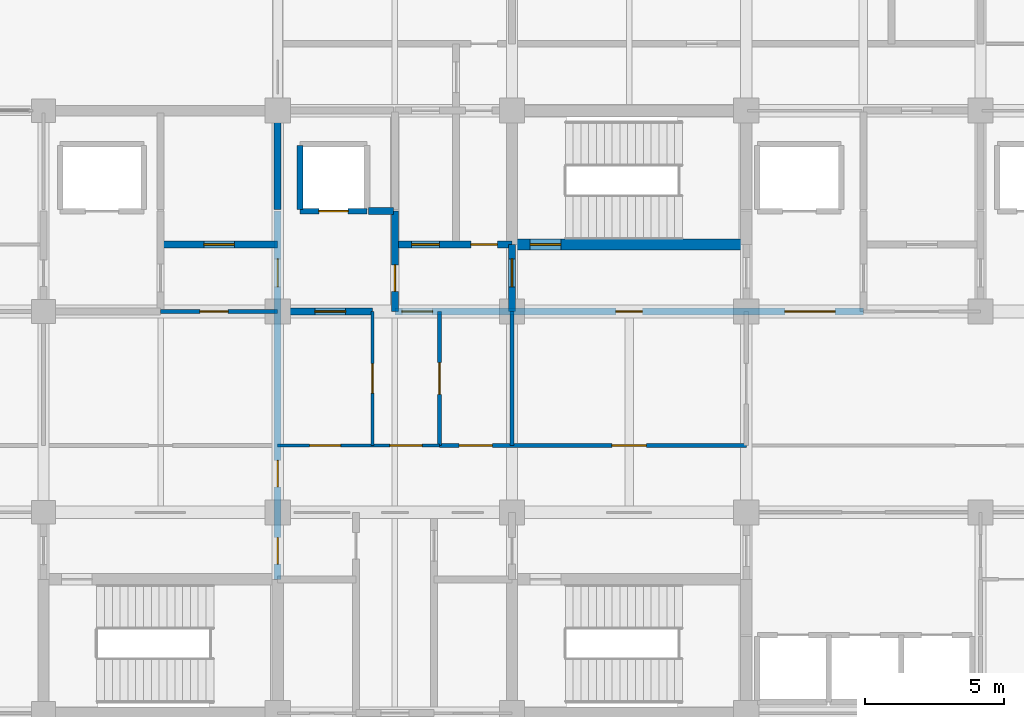
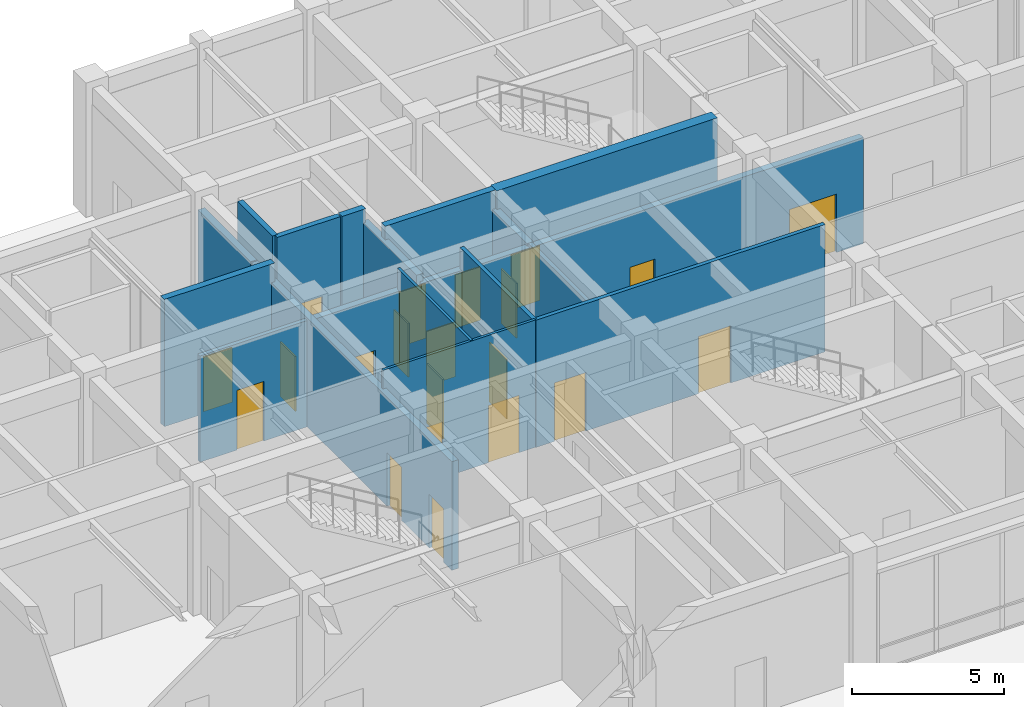
# One storey, part 45 of 73: 21 doors, 18 walls, 21 openings.
"""IFC4 building model written with IfcOpenShell, lengths in metres."""

from ifc_helpers import new_model, si_unit, direction, frame, frame_2d, origin, place, context, subcontext, project, spatial, rectangle, extrude, material, layer, layer_set, type_object, element, fill, save


model = new_model("IFC4")

# Units and contexts
model_context = context("Model", 3, precision=1e-05, world=origin(), true_north=direction((0.0, 1.0)))
body_context = subcontext(model_context, "Body", "Model", "MODEL_VIEW")
ifc_project = project(units=[si_unit("LENGTHUNIT", "METRE"), si_unit("AREAUNIT", "SQUARE_METRE"), si_unit("VOLUMEUNIT", "CUBIC_METRE"), si_unit("PLANEANGLEUNIT", "RADIAN"), si_unit("MASSUNIT", "GRAM", prefix="KILO")], contexts=[model_context])

# Site, building, storey
site_placement = place(None, origin())
site = spatial("IfcSite", under=ifc_project, at=site_placement, CompositionType="ELEMENT")
building_placement = place(site_placement, origin())
building = spatial("IfcBuilding", under=site, at=building_placement, Name="Chengyuan Square Courthouse", CompositionType="ELEMENT")
storey_placement = place(building_placement, origin())
storey = spatial("IfcBuildingStorey", under=building, at=storey_placement, Name="L01", CompositionType="ELEMENT", Elevation=0.0)

# Wall, opening, door
ifc_material_1 = material(Name="Concrete C40", Category="concrete")
ifc_layer_1 = layer(ifc_material_1, 0.25)
ifc_layer_set_1 = layer_set([ifc_layer_1], Name="Concrete C40")
wall_type_1 = type_object("IfcWallType", Name="WL-FW1", PredefinedType="STANDARD", material=ifc_layer_set_1)
wall_1_placement = place(storey_placement, frame((50.39990234375, 100.800048828125, 0.0), z_axis=(0.0, 0.0, 1.0), x_axis=(1.0, 0.0, 0.0)))
wall_1 = element("IfcWall", 1, at=wall_1_placement, inside=storey, type_object=wall_type_1, Name="Interior Wall WL-L01-I756", PredefinedType="STANDARD", context=body_context, shape_type="SweptSolid", body=[
    extrude(rectangle(XDim=3.400146484375, YDim=0.25, at=frame_2d((1.7001953125, 0.0))), origin(), (0.0, 0.0, 1.0), 4.27001953125),
])
opening_1_placement = place(wall_1_placement, frame((1.3349609375, 0.0, 0.0)))
opening_1 = element("IfcOpeningElement", 2, at=opening_1_placement, cuts=wall_1, Name="Opening DR-743", PredefinedType="OPENING", context=body_context, shape_type="SweptSolid", body=[
    extrude(rectangle(XDim=1.10009765625, YDim=2.199951171875, at=frame_2d((0.550048828125, 1.10009765625))), frame((0.0, 0.136962890625, 0.0), z_axis=(0.0, -1.0, 0.0), x_axis=(1.0, 0.0, 0.0)), (0.0, 0.0, 1.0), 0.27392578125),
])
ifc_material_2 = material(Name="Steel Q235B Fire Door", Category="steel")
door_type_1 = type_object("IfcDoorType", Name="DT-10", OperationType="NOTDEFINED", PredefinedType="DOOR", material=ifc_material_2)
door_1_placement = place(opening_1_placement, origin())
door_1 = element("IfcDoor", 3, at=door_1_placement, inside=storey, type_object=door_type_1, Name="Interior Door DR-743", OperationType="SINGLE_SWING_LEFT", OverallHeight=2.199951171875, OverallWidth=1.10009765625, PredefinedType="DOOR", context=body_context, shape_type="SweptSolid", body=[
    extrude(rectangle(XDim=1.10009765625, YDim=2.199951171875, at=frame_2d((0.550048828125, 1.10009765625))), frame((0.0, 0.02490234375, 0.0), z_axis=(0.0, -1.0, 0.0), x_axis=(1.0, 0.0, 0.0)), (0.0, 0.0, 1.0), 0.050048828125),
])
fill(opening_1, door_1)

# Wall, openings, doors
wall_2_placement = place(storey_placement, frame((54.60009765625, 100.800048828125, 0.0), z_axis=(0.0, 0.0, 1.0), x_axis=(1.0, 0.0, 0.0)))
wall_2 = element("IfcWall", 4, at=wall_2_placement, inside=storey, type_object=wall_type_1, Name="Interior Wall WL-L01-I757", PredefinedType="STANDARD", context=body_context, shape_type="SweptSolid", body=[
    extrude(rectangle(XDim=16.7998046875, YDim=0.25, at=frame_2d((8.39990234375, 0.0))), origin(), (0.0, 0.0, 1.0), 4.27001953125),
])
opening_2_placement = place(wall_2_placement, frame((7.925048828125, 0.0, 0.0)))
opening_2 = element("IfcOpeningElement", 5, at=opening_2_placement, cuts=wall_2, Name="Opening DR-670", PredefinedType="OPENING", context=body_context, shape_type="SweptSolid", body=[
    extrude(rectangle(XDim=0.949951171875, YDim=2.14990234375, at=frame_2d((0.47509765625, 1.074951171875))), frame((0.0, 0.136962890625, 0.0), z_axis=(0.0, -1.0, 0.0), x_axis=(1.0, 0.0, 0.0)), (0.0, 0.0, 1.0), 0.27392578125),
])
opening_3_placement = place(wall_2_placement, frame((13.985107421875, 0.0, 0.0)))
opening_3 = element("IfcOpeningElement", 6, at=opening_3_placement, cuts=wall_2, Name="Opening DR-712", PredefinedType="OPENING", context=body_context, shape_type="SweptSolid", body=[
    extrude(rectangle(XDim=1.800048828125, YDim=2.35009765625, at=frame_2d((0.89990234375, 1.175048828125))), frame((0.0, 0.136962890625, 0.0), z_axis=(0.0, -1.0, 0.0), x_axis=(1.0, 0.0, 0.0)), (0.0, 0.0, 1.0), 0.27392578125),
])
opening_4_placement = place(wall_2_placement, frame((0.25, 0.0, 0.0)))
opening_4 = element("IfcOpeningElement", 7, at=opening_4_placement, cuts=wall_2, Name="Opening DR-746", PredefinedType="OPENING", context=body_context, shape_type="SweptSolid", body=[
    extrude(rectangle(XDim=1.10009765625, YDim=2.199951171875, at=frame_2d((0.550048828125, 1.10009765625))), frame((0.0, 0.136962890625, 0.0), z_axis=(0.0, -1.0, 0.0), x_axis=(1.0, 0.0, 0.0)), (0.0, 0.0, 1.0), 0.27392578125),
])
door_2_placement = place(opening_4_placement, origin())
door_2 = element("IfcDoor", 8, at=door_2_placement, inside=storey, type_object=door_type_1, Name="Interior Door DR-746", OperationType="SINGLE_SWING_RIGHT", OverallHeight=2.199951171875, OverallWidth=1.10009765625, PredefinedType="DOOR", context=body_context, shape_type="SweptSolid", body=[
    extrude(rectangle(XDim=1.10009765625, YDim=2.199951171875, at=frame_2d((0.550048828125, 1.10009765625))), frame((0.0, 0.02490234375, 0.0), z_axis=(0.0, -1.0, 0.0), x_axis=(1.0, 0.0, 0.0)), (0.0, 0.0, 1.0), 0.050048828125),
])
fill(opening_4, door_2)
door_type_2 = type_object("IfcDoorType", Name="DT-12", OperationType="NOTDEFINED", PredefinedType="DOOR", material=ifc_material_2)
door_3_placement = place(opening_2_placement, origin())
door_3 = element("IfcDoor", 9, at=door_3_placement, inside=storey, type_object=door_type_2, Name="Interior Door DR-670", OperationType="SINGLE_SWING_LEFT", OverallHeight=2.14990234375, OverallWidth=0.949951171875, PredefinedType="DOOR", context=body_context, shape_type="SweptSolid", body=[
    extrude(rectangle(XDim=0.949951171875, YDim=2.14990234375, at=frame_2d((0.47509765625, 1.074951171875))), frame((0.0, 0.02490234375, 0.0), z_axis=(0.0, -1.0, 0.0), x_axis=(1.0, 0.0, 0.0)), (0.0, 0.0, 1.0), 0.050048828125),
])
fill(opening_2, door_3)
ifc_material_3 = material(Name="Steel Q235B Glazed Fire Door", Category="steel")
door_type_3 = type_object("IfcDoorType", Name="DT-18", OperationType="DOUBLE_DOOR_SINGLE_SWING", PredefinedType="DOOR", material=ifc_material_3)
door_4_placement = place(opening_3_placement, frame((1.800048828125, 0.0, 0.0), z_axis=(0.0, 0.0, 1.0), x_axis=(-1.0, 0.0, 0.0)))
door_4 = element("IfcDoor", 10, at=door_4_placement, inside=storey, type_object=door_type_3, Name="Interior Door DR-712", OperationType="DOUBLE_DOOR_SINGLE_SWING", OverallHeight=2.35009765625, OverallWidth=1.800048828125, PredefinedType="DOOR", context=body_context, shape_type="SweptSolid", body=[
    extrude(rectangle(XDim=1.800048828125, YDim=2.35009765625, at=frame_2d((0.89990234375, 1.175048828125))), frame((0.0, 0.02490234375, 0.0), z_axis=(0.0, -1.0, 0.0), x_axis=(1.0, 0.0, 0.0)), (0.0, 0.0, 1.0), 0.050048828125),
])
fill(opening_3, door_4)

# Wall, opening, door
wall_3_placement = place(storey_placement, frame((46.199951171875, 103.199951171875, 0.0), z_axis=(0.0, 0.0, 1.0), x_axis=(1.0, 0.0, 0.0)))
wall_3 = element("IfcWall", 11, at=wall_3_placement, inside=storey, type_object=wall_type_1, Name="Interior Wall WL-L01-I772", PredefinedType="STANDARD", context=body_context, shape_type="SweptSolid", body=[
    extrude(rectangle(XDim=4.199951171875, YDim=0.25, at=frame_2d((2.10009765625, 0.0))), origin(), (0.0, 0.0, 1.0), 5.1201171875),
])
opening_5_placement = place(wall_3_placement, frame((1.550048828125, 0.0, 0.0)))
opening_5 = element("IfcOpeningElement", 12, at=opening_5_placement, cuts=wall_3, Name="Opening DR-725", PredefinedType="OPENING", context=body_context, shape_type="SweptSolid", body=[
    extrude(rectangle(XDim=1.10009765625, YDim=2.199951171875, at=frame_2d((0.550048828125, 1.10009765625))), frame((0.0, 0.136962890625, 0.0), z_axis=(0.0, -1.0, 0.0), x_axis=(1.0, 0.0, 0.0)), (0.0, 0.0, 1.0), 0.27392578125),
])
door_5_placement = place(opening_5_placement, origin())
door_5 = element("IfcDoor", 13, at=door_5_placement, inside=storey, type_object=door_type_1, Name="Interior Door DR-725", OperationType="SINGLE_SWING_RIGHT", OverallHeight=2.199951171875, OverallWidth=1.10009765625, PredefinedType="DOOR", context=body_context, shape_type="SweptSolid", body=[
    extrude(rectangle(XDim=1.10009765625, YDim=2.199951171875, at=frame_2d((0.550048828125, 1.10009765625))), frame((0.0, 0.02490234375, 0.0), z_axis=(0.0, -1.0, 0.0), x_axis=(1.0, 0.0, 0.0)), (0.0, 0.0, 1.0), 0.050048828125),
])
fill(opening_5, door_5)

# Wall, openings, doors
wall_4_placement = place(storey_placement, frame((54.60009765625, 103.199951171875, 0.0), z_axis=(0.0, 0.0, 1.0), x_axis=(1.0, 0.0, 0.0)))
wall_4 = element("IfcWall", 14, at=wall_4_placement, inside=storey, type_object=wall_type_1, Name="Interior Wall WL-L01-I773", PredefinedType="STANDARD", context=body_context, shape_type="SweptSolid", body=[
    extrude(rectangle(XDim=4.199951171875, YDim=0.25, at=frame_2d((2.10009765625, 0.0))), origin(), (0.0, 0.0, 1.0), 5.1201171875),
])
opening_6_placement = place(wall_4_placement, frame((0.60009765625, 0.0, 0.0)))
opening_6 = element("IfcOpeningElement", 15, at=opening_6_placement, cuts=wall_4, Name="Opening DR-744", PredefinedType="OPENING", context=body_context, shape_type="SweptSolid", body=[
    extrude(rectangle(XDim=1.0, YDim=2.199951171875, at=frame_2d((0.5, 1.10009765625))), frame((0.0, 0.136962890625, 0.0), z_axis=(0.0, -1.0, 0.0), x_axis=(1.0, 0.0, 0.0)), (0.0, 0.0, 1.0), 0.27392578125),
])
opening_7_placement = place(wall_4_placement, frame((2.72509765625, 0.0, 0.0)))
opening_7 = element("IfcOpeningElement", 16, at=opening_7_placement, cuts=wall_4, Name="Opening DR-745", PredefinedType="OPENING", context=body_context, shape_type="SweptSolid", body=[
    extrude(rectangle(XDim=0.949951171875, YDim=2.14990234375, at=frame_2d((0.47509765625, 1.074951171875))), frame((0.0, 0.136962890625, 0.0), z_axis=(0.0, -1.0, 0.0), x_axis=(1.0, 0.0, 0.0)), (0.0, 0.0, 1.0), 0.27392578125),
])
door_type_4 = type_object("IfcDoorType", Name="DT-11", OperationType="NOTDEFINED", PredefinedType="DOOR", material=ifc_material_2)
door_6_placement = place(opening_6_placement, origin())
door_6 = element("IfcDoor", 17, at=door_6_placement, inside=storey, type_object=door_type_4, Name="Interior Door DR-744", OperationType="SINGLE_SWING_RIGHT", OverallHeight=2.199951171875, OverallWidth=1.0, PredefinedType="DOOR", context=body_context, shape_type="SweptSolid", body=[
    extrude(rectangle(XDim=1.0, YDim=2.199951171875, at=frame_2d((0.5, 1.10009765625))), frame((0.0, 0.02490234375, 0.0), z_axis=(0.0, -1.0, 0.0), x_axis=(1.0, 0.0, 0.0)), (0.0, 0.0, 1.0), 0.050048828125),
])
fill(opening_6, door_6)
door_7_placement = place(opening_7_placement, origin())
door_7 = element("IfcDoor", 18, at=door_7_placement, inside=storey, type_object=door_type_2, Name="Interior Door DR-745", OperationType="SINGLE_SWING_LEFT", OverallHeight=2.14990234375, OverallWidth=0.949951171875, PredefinedType="DOOR", context=body_context, shape_type="SweptSolid", body=[
    extrude(rectangle(XDim=0.949951171875, YDim=2.14990234375, at=frame_2d((0.47509765625, 1.074951171875))), frame((0.0, 0.02490234375, 0.0), z_axis=(0.0, -1.0, 0.0), x_axis=(1.0, 0.0, 0.0)), (0.0, 0.0, 1.0), 0.050048828125),
])
fill(opening_7, door_7)

# Wall
wall_5_placement = place(storey_placement, frame((53.64990234375, 104.39990234375, 0.0), z_axis=(0.0, 0.0, 1.0), x_axis=(1.0, 0.0, 0.0)))
element("IfcWall", 19, at=wall_5_placement, inside=storey, type_object=wall_type_1, Name="Interior Wall WL-L01-I783", PredefinedType="STANDARD", context=body_context, shape_type="SweptSolid", body=[
    extrude(rectangle(XDim=0.900146484375, YDim=0.25, at=frame_2d((0.4501953125, 0.0))), origin(), (0.0, 0.0, 1.0), 5.1201171875),
])

# Wall, openings, doors
wall_6_placement = place(storey_placement, frame((50.39990234375, 91.199951171875, 0.0), z_axis=(0.0, 0.0, 1.0), x_axis=(0.0, 1.0, 0.0)))
wall_6 = element("IfcWall", 20, at=wall_6_placement, inside=storey, type_object=wall_type_1, Name="Interior Wall WL-L01-I867", PredefinedType="STANDARD", context=body_context, shape_type="SweptSolid", body=[
    extrude(rectangle(XDim=13.199951171875, YDim=0.25, at=frame_2d((6.60009765625, 0.0))), origin(), (0.0, 0.0, 1.0), 4.3701171875),
])
opening_8_placement = place(wall_6_placement, frame((0.5400390625, 0.0, 0.0)))
opening_8 = element("IfcOpeningElement", 21, at=opening_8_placement, cuts=wall_6, Name="Opening DR-682", PredefinedType="OPENING", context=body_context, shape_type="SweptSolid", body=[
    extrude(rectangle(XDim=0.949951171875, YDim=2.14990234375, at=frame_2d((0.47509765625, 1.074951171875))), frame((0.0, 0.136962890625, 0.0), z_axis=(0.0, -1.0, 0.0), x_axis=(1.0, 0.0, 0.0)), (0.0, 0.0, 1.0), 0.27392578125),
])
opening_9_placement = place(wall_6_placement, frame((10.485107421875, 0.0, 0.0)))
opening_9 = element("IfcOpeningElement", 22, at=opening_9_placement, cuts=wall_6, Name="Opening DR-726", PredefinedType="OPENING", context=body_context, shape_type="SweptSolid", body=[
    extrude(rectangle(XDim=1.0, YDim=2.199951171875, at=frame_2d((0.5, 1.10009765625))), frame((0.0, 0.136962890625, 0.0), z_axis=(0.0, -1.0, 0.0), x_axis=(1.0, 0.0, 0.0)), (0.0, 0.0, 1.0), 0.27392578125),
])
opening_10_placement = place(wall_6_placement, frame((3.31005859375, 0.0, 0.0)))
opening_10 = element("IfcOpeningElement", 23, at=opening_10_placement, cuts=wall_6, Name="Opening DR-793", PredefinedType="OPENING", context=body_context, shape_type="SweptSolid", body=[
    extrude(rectangle(XDim=0.949951171875, YDim=2.14990234375, at=frame_2d((0.47509765625, 1.074951171875))), frame((0.0, 0.136962890625, 0.0), z_axis=(0.0, -1.0, 0.0), x_axis=(1.0, 0.0, 0.0)), (0.0, 0.0, 1.0), 0.27392578125),
])
door_8_placement = place(opening_9_placement, origin())
door_8 = element("IfcDoor", 24, at=door_8_placement, inside=storey, type_object=door_type_4, Name="Interior Door DR-726", OperationType="SINGLE_SWING_LEFT", OverallHeight=2.199951171875, OverallWidth=1.0, PredefinedType="DOOR", context=body_context, shape_type="SweptSolid", body=[
    extrude(rectangle(XDim=1.0, YDim=2.199951171875, at=frame_2d((0.5, 1.10009765625))), frame((0.0, 0.02490234375, 0.0), z_axis=(0.0, -1.0, 0.0), x_axis=(1.0, 0.0, 0.0)), (0.0, 0.0, 1.0), 0.050048828125),
])
fill(opening_9, door_8)
door_9_placement = place(opening_8_placement, origin())
door_9 = element("IfcDoor", 25, at=door_9_placement, inside=storey, type_object=door_type_2, Name="Interior Door DR-682", OperationType="SINGLE_SWING_RIGHT", OverallHeight=2.14990234375, OverallWidth=0.949951171875, PredefinedType="DOOR", context=body_context, shape_type="SweptSolid", body=[
    extrude(rectangle(XDim=0.949951171875, YDim=2.14990234375, at=frame_2d((0.47509765625, 1.074951171875))), frame((0.0, 0.02490234375, 0.0), z_axis=(0.0, -1.0, 0.0), x_axis=(1.0, 0.0, 0.0)), (0.0, 0.0, 1.0), 0.050048828125),
])
fill(opening_8, door_9)
door_10_placement = place(opening_10_placement, origin())
door_10 = element("IfcDoor", 26, at=door_10_placement, inside=storey, type_object=door_type_2, Name="Interior Door DR-793", OperationType="SINGLE_SWING_LEFT", OverallHeight=2.14990234375, OverallWidth=0.949951171875, PredefinedType="DOOR", context=body_context, shape_type="SweptSolid", body=[
    extrude(rectangle(XDim=0.949951171875, YDim=2.14990234375, at=frame_2d((0.47509765625, 1.074951171875))), frame((0.0, 0.02490234375, 0.0), z_axis=(0.0, -1.0, 0.0), x_axis=(1.0, 0.0, 0.0)), (0.0, 0.0, 1.0), 0.050048828125),
])
fill(opening_10, door_10)

# Wall
wall_7_placement = place(storey_placement, frame((50.39990234375, 104.449951171875, 0.0), z_axis=(0.0, 0.0, 1.0), x_axis=(0.0, 1.0, 0.0)))
element("IfcWall", 27, at=wall_7_placement, inside=storey, type_object=wall_type_1, Name="Interior Wall WL-L01-I868", PredefinedType="STANDARD", context=body_context, shape_type="SweptSolid", body=[
    extrude(rectangle(XDim=3.4599609375, YDim=0.25, at=frame_2d((1.72998046875, 0.0))), origin(), (0.0, 0.0, 1.0), 4.3701171875),
])

# Wall, opening, door
wall_8_placement = place(storey_placement, frame((54.60009765625, 100.800048828125, 0.0), z_axis=(0.0, 0.0, 1.0), x_axis=(0.0, 1.0, 0.0)))
wall_8 = element("IfcWall", 28, at=wall_8_placement, inside=storey, type_object=wall_type_1, Name="Interior Wall WL-L01-I873", PredefinedType="STANDARD", context=body_context, shape_type="SweptSolid", body=[
    extrude(rectangle(XDim=3.599853515625, YDim=0.25, at=frame_2d((1.7998046875, 0.0))), origin(), (0.0, 0.0, 1.0), 4.570068359375),
])
opening_11_placement = place(wall_8_placement, frame((0.72509765625, 0.0, 0.0)))
opening_11 = element("IfcOpeningElement", 29, at=opening_11_placement, cuts=wall_8, Name="Opening DR-742", PredefinedType="OPENING", context=body_context, shape_type="SweptSolid", body=[
    extrude(rectangle(XDim=0.949951171875, YDim=2.14990234375, at=frame_2d((0.47509765625, 1.074951171875))), frame((0.0, 0.136962890625, 0.0), z_axis=(0.0, -1.0, 0.0), x_axis=(1.0, 0.0, 0.0)), (0.0, 0.0, 1.0), 0.27392578125),
])
door_11_placement = place(opening_11_placement, origin())
door_11 = element("IfcDoor", 30, at=door_11_placement, inside=storey, type_object=door_type_2, Name="Interior Door DR-742", OperationType="SINGLE_SWING_RIGHT", OverallHeight=2.14990234375, OverallWidth=0.949951171875, PredefinedType="DOOR", context=body_context, shape_type="SweptSolid", body=[
    extrude(rectangle(XDim=0.949951171875, YDim=2.14990234375, at=frame_2d((0.47509765625, 1.074951171875))), frame((0.0, 0.02490234375, 0.0), z_axis=(0.0, -1.0, 0.0), x_axis=(1.0, 0.0, 0.0)), (0.0, 0.0, 1.0), 0.050048828125),
])
fill(opening_11, door_11)

wall_9_placement = place(storey_placement, frame((58.800048828125, 100.800048828125, 0.0), z_axis=(0.0, 0.0, 1.0), x_axis=(0.0, 1.0, 0.0)))
wall_9 = element("IfcWall", 31, at=wall_9_placement, inside=storey, type_object=wall_type_1, Name="Interior Wall WL-L01-I882", PredefinedType="STANDARD", context=body_context, shape_type="SweptSolid", body=[
    extrude(rectangle(XDim=2.39990234375, YDim=0.25, at=frame_2d((1.199951171875, 0.0))), origin(), (0.0, 0.0, 1.0), 4.3701171875),
])
opening_12_placement = place(wall_9_placement, frame((0.885009765625, 0.0, 0.0)))
opening_12 = element("IfcOpeningElement", 32, at=opening_12_placement, cuts=wall_9, Name="Opening DR-669", PredefinedType="OPENING", context=body_context, shape_type="SweptSolid", body=[
    extrude(rectangle(XDim=1.0, YDim=2.199951171875, at=frame_2d((0.5, 1.10009765625))), frame((0.0, 0.136962890625, 0.0), z_axis=(0.0, -1.0, 0.0), x_axis=(1.0, 0.0, 0.0)), (0.0, 0.0, 1.0), 0.27392578125),
])
door_12_placement = place(opening_12_placement, origin())
door_12 = element("IfcDoor", 33, at=door_12_placement, inside=storey, type_object=door_type_4, Name="Interior Door DR-669", OperationType="SINGLE_SWING_RIGHT", OverallHeight=2.199951171875, OverallWidth=1.0, PredefinedType="DOOR", context=body_context, shape_type="SweptSolid", body=[
    extrude(rectangle(XDim=1.0, YDim=2.199951171875, at=frame_2d((0.5, 1.10009765625))), frame((0.0, 0.02490234375, 0.0), z_axis=(0.0, -1.0, 0.0), x_axis=(1.0, 0.0, 0.0)), (0.0, 0.0, 1.0), 0.050048828125),
])
fill(opening_12, door_12)

# Wall, openings, doors
ifc_material_4 = material(Name="Deliberation Room Sound-Insulated Partition")
ifc_layer_2 = layer(ifc_material_4, 0.14990234375)
ifc_layer_set_2 = layer_set([ifc_layer_2], Name="Deliberation Room Sound-Insulated Partition")
wall_type_2 = type_object("IfcWallType", Name="WL-PT3", PredefinedType="STANDARD", material=ifc_layer_set_2)
wall_10_placement = place(storey_placement, frame((56.199951171875, 96.0, 0.0), z_axis=(0.0, 0.0, 1.0), x_axis=(1.0, 0.0, 0.0)))
wall_10 = element("IfcWall", 34, at=wall_10_placement, inside=storey, type_object=wall_type_2, Name="Interior Wall WL-L01-I740", PredefinedType="STANDARD", context=body_context, shape_type="SweptSolid", body=[
    extrude(rectangle(XDim=11.0, YDim=0.14990234375, at=frame_2d((5.5, 0.0))), origin(), (0.0, 0.0, 1.0), 5.1201171875),
])
opening_13_placement = place(wall_10_placement, frame((0.699951171875, 0.0, 0.0)))
opening_13 = element("IfcOpeningElement", 35, at=opening_13_placement, cuts=wall_10, Name="Opening DR-807", PredefinedType="OPENING", context=body_context, shape_type="SweptSolid", body=[
    extrude(rectangle(XDim=1.199951171875, YDim=2.35009765625, at=frame_2d((0.60009765625, 1.175048828125))), frame((0.0, 0.0869140625, 0.0), z_axis=(0.0, -1.0, 0.0), x_axis=(1.0, 0.0, 0.0)), (0.0, 0.0, 1.0), 0.173828125),
])
opening_14_placement = place(wall_10_placement, frame((6.179931640625, 0.0, 0.0)))
opening_14 = element("IfcOpeningElement", 36, at=opening_14_placement, cuts=wall_10, Name="Opening DR-808", PredefinedType="OPENING", context=body_context, shape_type="SweptSolid", body=[
    extrude(rectangle(XDim=1.239990234375, YDim=2.300048828125, at=frame_2d((0.6201171875, 1.14990234375))), frame((0.0, 0.0869140625, 0.0), z_axis=(0.0, -1.0, 0.0), x_axis=(1.0, 0.0, 0.0)), (0.0, 0.0, 1.0), 0.173828125),
])
ifc_material_5 = material(Name="Acoustic Solid-Core Timber Door", Category="wood")
door_type_5 = type_object("IfcDoorType", Name="DT-36", OperationType="NOTDEFINED", PredefinedType="DOOR", material=ifc_material_5)
door_13_placement = place(opening_13_placement, origin())
door_13 = element("IfcDoor", 37, at=door_13_placement, inside=storey, type_object=door_type_5, Name="Interior Door DR-807", OperationType="SINGLE_SWING_LEFT", OverallHeight=2.35009765625, OverallWidth=1.199951171875, PredefinedType="DOOR", context=body_context, shape_type="SweptSolid", body=[
    extrude(rectangle(XDim=1.199951171875, YDim=2.35009765625, at=frame_2d((0.60009765625, 1.175048828125))), frame((0.0, 0.02490234375, 0.0), z_axis=(0.0, -1.0, 0.0), x_axis=(1.0, 0.0, 0.0)), (0.0, 0.0, 1.0), 0.050048828125),
])
fill(opening_13, door_13)
door_type_6 = type_object("IfcDoorType", Name="DT-37", OperationType="NOTDEFINED", PredefinedType="DOOR", material=ifc_material_5)
door_14_placement = place(opening_14_placement, origin())
door_14 = element("IfcDoor", 38, at=door_14_placement, inside=storey, type_object=door_type_6, Name="Interior Door DR-808", OperationType="SINGLE_SWING_RIGHT", OverallHeight=2.300048828125, OverallWidth=1.239990234375, PredefinedType="DOOR", context=body_context, shape_type="SweptSolid", body=[
    extrude(rectangle(XDim=1.239990234375, YDim=2.300048828125, at=frame_2d((0.6201171875, 1.14990234375))), frame((0.0, 0.02490234375, 0.0), z_axis=(0.0, -1.0, 0.0), x_axis=(1.0, 0.0, 0.0)), (0.0, 0.0, 1.0), 0.050048828125),
])
fill(opening_14, door_14)

# Wall, opening, door
wall_11_placement = place(storey_placement, frame((46.199951171875, 100.800048828125, 0.0), z_axis=(0.0, 0.0, 1.0), x_axis=(1.0, 0.0, 0.0)))
wall_11 = element("IfcWall", 39, at=wall_11_placement, inside=storey, type_object=wall_type_2, Name="Interior Wall WL-L01-I755", PredefinedType="STANDARD", context=body_context, shape_type="SweptSolid", body=[
    extrude(rectangle(XDim=4.199951171875, YDim=0.14990234375, at=frame_2d((2.10009765625, 0.0))), origin(), (0.0, 0.0, 1.0), 4.27001953125),
])
opening_15_placement = place(wall_11_placement, frame((1.405029296875, 0.0, 0.0)))
opening_15 = element("IfcOpeningElement", 40, at=opening_15_placement, cuts=wall_11, Name="Opening DR-727", PredefinedType="OPENING", context=body_context, shape_type="SweptSolid", body=[
    extrude(rectangle(XDim=1.02001953125, YDim=2.39990234375, at=frame_2d((0.510009765625, 1.199951171875))), frame((0.0, 0.0869140625, 0.0), z_axis=(0.0, -1.0, 0.0), x_axis=(1.0, 0.0, 0.0)), (0.0, 0.0, 1.0), 0.173828125),
])
door_type_7 = type_object("IfcDoorType", Name="DT-41", OperationType="NOTDEFINED", PredefinedType="DOOR", material=ifc_material_5)
door_15_placement = place(opening_15_placement, origin())
door_15 = element("IfcDoor", 41, at=door_15_placement, inside=storey, type_object=door_type_7, Name="Interior Door DR-727", OperationType="SINGLE_SWING_RIGHT", OverallHeight=2.39990234375, OverallWidth=1.02001953125, PredefinedType="DOOR", context=body_context, shape_type="SweptSolid", body=[
    extrude(rectangle(XDim=1.02001953125, YDim=2.39990234375, at=frame_2d((0.510009765625, 1.199951171875))), frame((0.0, 0.02490234375, 0.0), z_axis=(0.0, -1.0, 0.0), x_axis=(1.0, 0.0, 0.0)), (0.0, 0.0, 1.0), 0.050048828125),
])
fill(opening_15, door_15)

wall_12_placement = place(storey_placement, frame((56.199951171875, 96.0, 0.0), z_axis=(0.0, 0.0, 1.0), x_axis=(0.0, 1.0, 0.0)))
wall_12 = element("IfcWall", 42, at=wall_12_placement, inside=storey, type_object=wall_type_2, Name="Interior Wall WL-L01-I876", PredefinedType="STANDARD", context=body_context, shape_type="SweptSolid", body=[
    extrude(rectangle(XDim=4.800048828125, YDim=0.14990234375, at=frame_2d((2.39990234375, 0.0))), origin(), (0.0, 0.0, 1.0), 5.1201171875),
])
opening_16_placement = place(wall_12_placement, frame((1.830078125, 0.0, 0.0)))
opening_16 = element("IfcOpeningElement", 43, at=opening_16_placement, cuts=wall_12, Name="Opening DR-848", PredefinedType="OPENING", context=body_context, shape_type="SweptSolid", body=[
    extrude(rectangle(XDim=1.139892578125, YDim=2.39990234375, at=frame_2d((0.56982421875, 1.199951171875))), frame((0.0, 0.0869140625, 0.0), z_axis=(0.0, -1.0, 0.0), x_axis=(1.0, 0.0, 0.0)), (0.0, 0.0, 1.0), 0.173828125),
])
door_type_8 = type_object("IfcDoorType", Name="DT-43", OperationType="NOTDEFINED", PredefinedType="DOOR", material=ifc_material_5)
door_16_placement = place(opening_16_placement, origin())
door_16 = element("IfcDoor", 44, at=door_16_placement, inside=storey, type_object=door_type_8, Name="Interior Door DR-848", OperationType="SINGLE_SWING_LEFT", OverallHeight=2.39990234375, OverallWidth=1.139892578125, PredefinedType="DOOR", context=body_context, shape_type="SweptSolid", body=[
    extrude(rectangle(XDim=1.139892578125, YDim=2.39990234375, at=frame_2d((0.56982421875, 1.199951171875))), frame((0.0, 0.02490234375, 0.0), z_axis=(0.0, -1.0, 0.0), x_axis=(1.0, 0.0, 0.0)), (0.0, 0.0, 1.0), 0.050048828125),
])
fill(opening_16, door_16)

# Wall
wall_13_placement = place(storey_placement, frame((58.800048828125, 96.0, 0.0), z_axis=(0.0, 0.0, 1.0), x_axis=(0.0, 1.0, 0.0)))
element("IfcWall", 45, at=wall_13_placement, inside=storey, type_object=wall_type_2, Name="Interior Wall WL-L01-I881", PredefinedType="STANDARD", context=body_context, shape_type="SweptSolid", body=[
    extrude(rectangle(XDim=4.800048828125, YDim=0.14990234375, at=frame_2d((2.39990234375, 0.0))), origin(), (0.0, 0.0, 1.0), 4.3701171875),
])

# Wall, openings, doors
ifc_material_6 = material(Name="Gypsum Plasterboard Acoustic Stud Partition")
ifc_layer_3 = layer(ifc_material_6, 0.10009765625)
ifc_layer_set_3 = layer_set([ifc_layer_3], Name="Gypsum Plasterboard Acoustic Stud Partition")
wall_type_3 = type_object("IfcWallType", Name="WL-PT6", PredefinedType="STANDARD", material=ifc_layer_set_3)
wall_14_placement = place(storey_placement, frame((50.39990234375, 96.0, 0.0), z_axis=(0.0, 0.0, 1.0), x_axis=(1.0, 0.0, 0.0)))
wall_14 = element("IfcWall", 46, at=wall_14_placement, inside=storey, type_object=wall_type_3, Name="Interior Wall WL-L01-I739", PredefinedType="STANDARD", context=body_context, shape_type="SweptSolid", body=[
    extrude(rectangle(XDim=5.800048828125, YDim=0.10009765625, at=frame_2d((2.89990234375, 0.0))), origin(), (0.0, 0.0, 1.0), 5.1201171875),
])
opening_17_placement = place(wall_14_placement, frame((1.139892578125, 0.0, 0.0)))
opening_17 = element("IfcOpeningElement", 47, at=opening_17_placement, cuts=wall_14, Name="Opening DR-805", PredefinedType="OPENING", context=body_context, shape_type="SweptSolid", body=[
    extrude(rectangle(XDim=1.1201171875, YDim=2.25, at=frame_2d((0.56005859375, 1.125))), frame((0.0, 0.06201171875, 0.0), z_axis=(0.0, -1.0, 0.0), x_axis=(1.0, 0.0, 0.0)), (0.0, 0.0, 1.0), 0.1240234375),
])
opening_18_placement = place(wall_14_placement, frame((4.02001953125, 0.0, 0.0)))
opening_18 = element("IfcOpeningElement", 48, at=opening_18_placement, cuts=wall_14, Name="Opening DR-806", PredefinedType="OPENING", context=body_context, shape_type="SweptSolid", body=[
    extrude(rectangle(XDim=1.159912109375, YDim=2.300048828125, at=frame_2d((0.580078125, 1.14990234375))), frame((0.0, 0.06201171875, 0.0), z_axis=(0.0, -1.0, 0.0), x_axis=(1.0, 0.0, 0.0)), (0.0, 0.0, 1.0), 0.1240234375),
])
door_type_9 = type_object("IfcDoorType", Name="DT-34", OperationType="NOTDEFINED", PredefinedType="DOOR", material=ifc_material_5)
door_17_placement = place(opening_17_placement, origin())
door_17 = element("IfcDoor", 49, at=door_17_placement, inside=storey, type_object=door_type_9, Name="Interior Door DR-805", OperationType="SINGLE_SWING_LEFT", OverallHeight=2.25, OverallWidth=1.1201171875, PredefinedType="DOOR", context=body_context, shape_type="SweptSolid", body=[
    extrude(rectangle(XDim=1.1201171875, YDim=2.25, at=frame_2d((0.56005859375, 1.125))), frame((0.0, 0.02490234375, 0.0), z_axis=(0.0, -1.0, 0.0), x_axis=(1.0, 0.0, 0.0)), (0.0, 0.0, 1.0), 0.050048828125),
])
fill(opening_17, door_17)
door_type_10 = type_object("IfcDoorType", Name="DT-35", OperationType="NOTDEFINED", PredefinedType="DOOR", material=ifc_material_5)
door_18_placement = place(opening_18_placement, origin())
door_18 = element("IfcDoor", 50, at=door_18_placement, inside=storey, type_object=door_type_10, Name="Interior Door DR-806", OperationType="SINGLE_SWING_RIGHT", OverallHeight=2.300048828125, OverallWidth=1.159912109375, PredefinedType="DOOR", context=body_context, shape_type="SweptSolid", body=[
    extrude(rectangle(XDim=1.159912109375, YDim=2.300048828125, at=frame_2d((0.580078125, 1.14990234375))), frame((0.0, 0.02490234375, 0.0), z_axis=(0.0, -1.0, 0.0), x_axis=(1.0, 0.0, 0.0)), (0.0, 0.0, 1.0), 0.050048828125),
])
fill(opening_18, door_18)

# Wall, opening, door
wall_15_placement = place(storey_placement, frame((53.800048828125, 96.0, 0.0), z_axis=(0.0, 0.0, 1.0), x_axis=(0.0, 1.0, 0.0)))
wall_15 = element("IfcWall", 51, at=wall_15_placement, inside=storey, type_object=wall_type_3, Name="Interior Wall WL-L01-I872", PredefinedType="STANDARD", context=body_context, shape_type="SweptSolid", body=[
    extrude(rectangle(XDim=4.800048828125, YDim=0.10009765625, at=frame_2d((2.39990234375, 0.0))), origin(), (0.0, 0.0, 1.0), 5.1201171875),
])
opening_19_placement = place(wall_15_placement, frame((1.8701171875, 0.0, 0.0)))
opening_19 = element("IfcOpeningElement", 52, at=opening_19_placement, cuts=wall_15, Name="Opening DR-847", PredefinedType="OPENING", context=body_context, shape_type="SweptSolid", body=[
    extrude(rectangle(XDim=1.06005859375, YDim=2.39990234375, at=frame_2d((0.530029296875, 1.199951171875))), frame((0.0, 0.06201171875, 0.0), z_axis=(0.0, -1.0, 0.0), x_axis=(1.0, 0.0, 0.0)), (0.0, 0.0, 1.0), 0.1240234375),
])
door_type_11 = type_object("IfcDoorType", Name="DT-42", OperationType="NOTDEFINED", PredefinedType="DOOR", material=ifc_material_5)
door_19_placement = place(opening_19_placement, origin())
door_19 = element("IfcDoor", 53, at=door_19_placement, inside=storey, type_object=door_type_11, Name="Interior Door DR-847", OperationType="SINGLE_SWING_RIGHT", OverallHeight=2.39990234375, OverallWidth=1.06005859375, PredefinedType="DOOR", context=body_context, shape_type="SweptSolid", body=[
    extrude(rectangle(XDim=1.06005859375, YDim=2.39990234375, at=frame_2d((0.530029296875, 1.199951171875))), frame((0.0, 0.02490234375, 0.0), z_axis=(0.0, -1.0, 0.0), x_axis=(1.0, 0.0, 0.0)), (0.0, 0.0, 1.0), 0.050048828125),
])
fill(opening_19, door_19)

ifc_material_7 = material(Name="Reinforced Masonry Shaft Enclosure", Category="masonry")
ifc_layer_4 = layer(ifc_material_7, 0.199951171875)
ifc_layer_set_4 = layer_set([ifc_layer_4], Name="Reinforced Masonry Shaft Enclosure")
wall_type_4 = type_object("IfcWallType", Name="WL-SH1", PredefinedType="STANDARD", material=ifc_layer_set_4)
wall_16_placement = place(storey_placement, frame((51.199951171875, 104.39990234375, 0.0), z_axis=(0.0, 0.0, 1.0), x_axis=(1.0, 0.0, 0.0)))
wall_16 = element("IfcWall", 54, at=wall_16_placement, inside=storey, type_object=wall_type_4, Name="Interior Wall WL-L01-I782", PredefinedType="STANDARD", context=body_context, shape_type="SweptSolid", body=[
    extrude(rectangle(XDim=2.400146484375, YDim=0.199951171875, at=frame_2d((1.2001953125, 0.0))), origin(), (0.0, 0.0, 1.0), 5.1201171875),
])
opening_20_placement = place(wall_16_placement, frame((0.675048828125, 0.0, 0.0)))
opening_20 = element("IfcOpeningElement", 55, at=opening_20_placement, cuts=wall_16, Name="Opening LD-035", PredefinedType="OPENING", context=body_context, shape_type="SweptSolid", body=[
    extrude(rectangle(XDim=1.050048828125, YDim=2.14990234375, at=frame_2d((0.52490234375, 1.074951171875))), frame((0.0, 0.112060546875, 0.0), z_axis=(0.0, -1.0, 0.0), x_axis=(1.0, 0.0, 0.0)), (0.0, 0.0, 1.0), 0.223876953125),
])
ifc_material_8 = material(Name="Stainless Steel S30408 Lift Landing Door", Category="steel")
door_type_12 = type_object("IfcDoorType", Name="DT-08", OperationType="DOUBLE_DOOR_SLIDING", PredefinedType="DOOR", material=ifc_material_8)
door_20_placement = place(opening_20_placement, origin())
door_20 = element("IfcDoor", 56, at=door_20_placement, inside=storey, type_object=door_type_12, Name="Lift Landing Door LF-C1 L01", OperationType="DOUBLE_DOOR_SLIDING", OverallHeight=2.14990234375, OverallWidth=1.050048828125, PredefinedType="DOOR", context=body_context, shape_type="SweptSolid", body=[
    extrude(rectangle(XDim=1.050048828125, YDim=2.14990234375, at=frame_2d((0.52490234375, 1.074951171875))), frame((0.0, 0.02490234375, 0.0), z_axis=(0.0, -1.0, 0.0), x_axis=(1.0, 0.0, 0.0)), (0.0, 0.0, 1.0), 0.050048828125),
])
fill(opening_20, door_20)

# Wall
wall_17_placement = place(storey_placement, frame((51.199951171875, 104.449951171875, 0.0), z_axis=(0.0, 0.0, 1.0), x_axis=(0.0, 1.0, 0.0)))
element("IfcWall", 57, at=wall_17_placement, inside=storey, type_object=wall_type_4, Name="Interior Wall WL-L01-I869", PredefinedType="STANDARD", context=body_context, shape_type="SweptSolid", body=[
    extrude(rectangle(XDim=2.300048828125, YDim=0.199951171875, at=frame_2d((1.14990234375, 0.0))), origin(), (0.0, 0.0, 1.0), 5.1201171875),
])

# Wall, opening, door
ifc_material_9 = material(Name="Concrete C50", Category="concrete")
ifc_layer_5 = layer(ifc_material_9, 0.39990234375)
ifc_layer_set_5 = layer_set([ifc_layer_5], Name="Concrete C50")
wall_type_5 = type_object("IfcWallType", Name="WL-SW1", PredefinedType="SHEAR", material=ifc_layer_set_5)
wall_18_placement = place(storey_placement, frame((58.800048828125, 103.199951171875, 0.0), z_axis=(0.0, 0.0, 1.0), x_axis=(1.0, 0.0, 0.0)))
wall_18 = element("IfcWall", 58, at=wall_18_placement, inside=storey, type_object=wall_type_5, Name="Interior Wall WL-L01-I774", PredefinedType="SHEAR", context=body_context, shape_type="SweptSolid", body=[
    extrude(rectangle(XDim=8.39990234375, YDim=0.39990234375, at=frame_2d((4.199951171875, 0.0))), origin(), (0.0, 0.0, 1.0), 5.1201171875),
])
opening_21_placement = place(wall_18_placement, frame((0.64990234375, 0.0, 0.0)))
opening_21 = element("IfcOpeningElement", 59, at=opening_21_placement, cuts=wall_18, Name="Opening DR-658", PredefinedType="OPENING", context=body_context, shape_type="SweptSolid", body=[
    extrude(rectangle(XDim=1.10009765625, YDim=2.199951171875, at=frame_2d((0.550048828125, 1.10009765625))), frame((0.0, 0.2119140625, 0.0), z_axis=(0.0, -1.0, 0.0), x_axis=(1.0, 0.0, 0.0)), (0.0, 0.0, 1.0), 0.423828125),
])
door_21_placement = place(opening_21_placement, frame((1.10009765625, 0.0, 0.0), z_axis=(0.0, 0.0, 1.0), x_axis=(-1.0, 0.0, 0.0)))
door_21 = element("IfcDoor", 60, at=door_21_placement, inside=storey, type_object=door_type_1, Name="Smoke-Proof Stairwell Fire Door ST-1 DR-658", OperationType="SINGLE_SWING_LEFT", OverallHeight=2.199951171875, OverallWidth=1.10009765625, PredefinedType="DOOR", context=body_context, shape_type="SweptSolid", body=[
    extrude(rectangle(XDim=1.10009765625, YDim=2.199951171875, at=frame_2d((0.550048828125, 1.10009765625))), frame((0.0, 0.02490234375, 0.0), z_axis=(0.0, -1.0, 0.0), x_axis=(1.0, 0.0, 0.0)), (0.0, 0.0, 1.0), 0.050048828125),
])
fill(opening_21, door_21)

save(model, "model.ifc")
